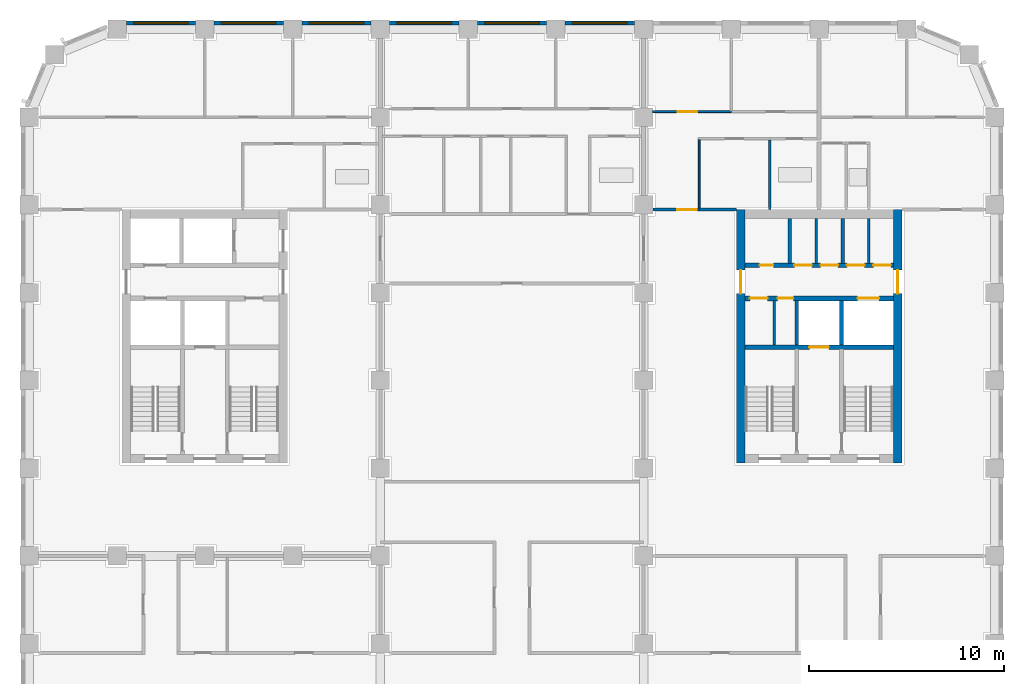
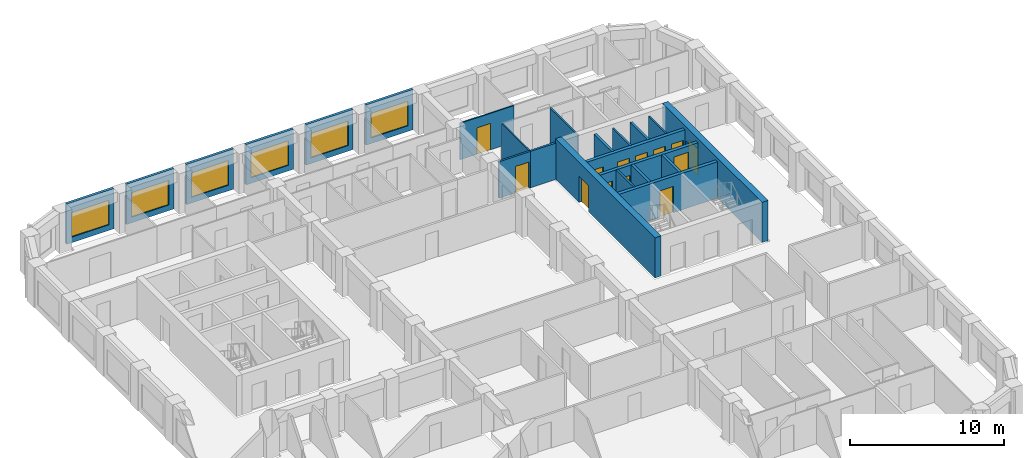
# One storey, part 8 of 13: 23 walls, 13 doors, 6 windows, 19 openings.
"""IFC4 building model written with IfcOpenShell, lengths in metres."""

from ifc_helpers import new_model, si_unit, direction, frame, frame_2d, origin, place, context, subcontext, project, spatial, rectangle, extrude, material, layer, layer_set, type_object, element, fill, save


model = new_model("IFC4")

# Units and contexts
model_context = context("Model", 3, precision=1e-05, world=origin(), true_north=direction((0.0, 1.0)))
body_context = subcontext(model_context, "Body", "Model", "MODEL_VIEW")
ifc_project = project(units=[si_unit("LENGTHUNIT", "METRE"), si_unit("AREAUNIT", "SQUARE_METRE"), si_unit("VOLUMEUNIT", "CUBIC_METRE"), si_unit("PLANEANGLEUNIT", "RADIAN"), si_unit("MASSUNIT", "GRAM", prefix="KILO")], contexts=[model_context])

# Site, building, storey
site_placement = place(None, origin())
site = spatial("IfcSite", under=ifc_project, at=site_placement, CompositionType="ELEMENT")
building_placement = place(site_placement, origin())
building = spatial("IfcBuilding", under=site, at=building_placement, Name="Girih Gate Residences", CompositionType="ELEMENT")
storey_placement = place(building_placement, frame((0.0, 0.0, 130.199951171875)))
storey = spatial("IfcBuildingStorey", under=building, at=storey_placement, Name="L36", CompositionType="ELEMENT", Elevation=130.199951171875)

# Wall, opening, door
ifc_material_1 = material(Name="Gypsum board on steel studs", Category="steel")
ifc_layer_1 = layer(ifc_material_1, 0.14990234375)
ifc_layer_set_1 = layer_set([ifc_layer_1], Name="Compartment wall 150 mm")
wall_type_1 = type_object("IfcWallType", Name="Compartment wall 150 mm", PredefinedType="PARTITIONING", material=ifc_layer_set_1)
wall_1_placement = place(storey_placement, frame((31.97509765625, 40.25, 0.0), z_axis=(0.0, 0.0, 1.0), x_axis=(1.0, 0.0, 0.0)))
wall_1 = element("IfcWall", 1, at=wall_1_placement, inside=storey, type_object=wall_type_1, Name="L36 partition", PredefinedType="PARTITIONING", context=body_context, shape_type="SweptSolid", body=[
    extrude(rectangle(XDim=2.375, YDim=0.14990234375, at=frame_2d((1.1875, 0.0))), origin(), (0.0, 0.0, 1.0), 2.900146484375),
])
opening_1_placement = place(wall_1_placement, frame((1.2451171875, 0.0, 0.0)))
opening_1 = element("IfcOpeningElement", 2, at=opening_1_placement, cuts=wall_1, Name="Opening A36-036", PredefinedType="OPENING", context=body_context, shape_type="SweptSolid", body=[
    extrude(rectangle(XDim=1.0, YDim=2.10009765625, at=frame_2d((0.5, 1.050048828125))), frame((0.0, 0.0849609375, 0.0), z_axis=(0.0, -1.0, 0.0), x_axis=(1.0, 0.0, 0.0)), (0.0, 0.0, 1.0), 0.169921875),
])
ifc_material_2 = material(Name="Timber, fire-rated core", Category="wood")
door_type_1 = type_object("IfcDoorType", Name="Flat entrance door 1000x2100 FD30S", OperationType="NOTDEFINED", PredefinedType="DOOR", material=ifc_material_2)
door_1_placement = place(opening_1_placement, origin())
door_1 = element("IfcDoor", 3, at=door_1_placement, inside=storey, type_object=door_type_1, Name="Door A36-036", OperationType="SINGLE_SWING_RIGHT", OverallHeight=2.10009765625, OverallWidth=1.0, PredefinedType="DOOR", context=body_context, shape_type="SweptSolid", body=[
    extrude(rectangle(XDim=1.0, YDim=2.10009765625, at=frame_2d((0.5, 1.050048828125))), frame((0.0, 0.02490234375, 0.0), z_axis=(0.0, -1.0, 0.0), x_axis=(1.0, 0.0, 0.0)), (0.0, 0.0, 1.0), 0.050048828125),
])
fill(opening_1, door_1)

# Wall
wall_2_placement = place(storey_placement, frame((34.35009765625, 40.25, 0.0), z_axis=(0.0, 0.0, 1.0), x_axis=(1.0, 0.0, 0.0)))
element("IfcWall", 4, at=wall_2_placement, inside=storey, type_object=wall_type_1, Name="L36 partition", PredefinedType="PARTITIONING", context=body_context, shape_type="SweptSolid", body=[
    extrude(rectangle(XDim=1.89990234375, YDim=0.14990234375, at=frame_2d((0.949951171875, 0.0))), origin(), (0.0, 0.0, 1.0), 2.900146484375),
])

# Wall, opening, door
ifc_material_3 = material(Name="Concrete C60/75", Category="concrete")
ifc_layer_2 = layer(ifc_material_3, 0.449951171875)
ifc_layer_set_2 = layer_set([ifc_layer_2], Name="Core wall RC 450 Concrete C60/75")
wall_type_2 = type_object("IfcWallType", Name="Core wall RC 450 Concrete C60/75", PredefinedType="SOLIDWALL", material=ifc_layer_set_2)
wall_3_placement = place(storey_placement, frame((36.47509765625, 27.25, 0.0), z_axis=(0.0, 0.0, 1.0), x_axis=(0.0, 1.0, 0.0)))
wall_3 = element("IfcWall", 5, at=wall_3_placement, inside=storey, type_object=wall_type_2, Name="Core wall E-W L36", PredefinedType="SOLIDWALL", context=body_context, shape_type="SweptSolid", body=[
    extrude(rectangle(XDim=13.0, YDim=0.449951171875, at=frame_2d((6.5, 0.0))), origin(), (0.0, 0.0, 1.0), 3.199951171875),
])
opening_2_placement = place(wall_3_placement, frame((8.699951171875, 0.0, 0.0)))
opening_2 = element("IfcOpeningElement", 6, at=opening_2_placement, cuts=wall_3, Name="Opening D-L36-E-015", PredefinedType="OPENING", context=body_context, shape_type="SweptSolid", body=[
    extrude(rectangle(XDim=1.199951171875, YDim=2.10009765625, at=frame_2d((0.60009765625, 1.050048828125))), frame((0.0, 0.23486328125, 0.0), z_axis=(0.0, -1.0, 0.0), x_axis=(1.0, 0.0, 0.0)), (0.0, 0.0, 1.0), 0.469970703125),
])
ifc_material_4 = material(Name="Painted steel, fire-resisting", Category="steel")
door_type_2 = type_object("IfcDoorType", Name="Fire door 1200x2100", OperationType="SINGLE_SWING_LEFT", PredefinedType="DOOR", material=ifc_material_4)
door_2_placement = place(opening_2_placement, origin())
door_2 = element("IfcDoor", 7, at=door_2_placement, inside=storey, type_object=door_type_2, Name="L36 E core door ll-w", OperationType="SINGLE_SWING_LEFT", OverallHeight=2.10009765625, OverallWidth=1.199951171875, PredefinedType="DOOR", context=body_context, shape_type="SweptSolid", body=[
    extrude(rectangle(XDim=1.199951171875, YDim=2.10009765625, at=frame_2d((0.60009765625, 1.050048828125))), frame((0.0, 0.02490234375, 0.0), z_axis=(0.0, -1.0, 0.0), x_axis=(1.0, 0.0, 0.0)), (0.0, 0.0, 1.0), 0.050048828125),
])
fill(opening_2, door_2)

wall_4_placement = place(storey_placement, frame((44.52490234375, 27.25, 0.0), z_axis=(0.0, 0.0, 1.0), x_axis=(0.0, 1.0, 0.0)))
wall_4 = element("IfcWall", 8, at=wall_4_placement, inside=storey, type_object=wall_type_2, Name="Core wall E-E L36", PredefinedType="SOLIDWALL", context=body_context, shape_type="SweptSolid", body=[
    extrude(rectangle(XDim=13.0, YDim=0.449951171875, at=frame_2d((6.5, 0.0))), origin(), (0.0, 0.0, 1.0), 3.199951171875),
])
opening_3_placement = place(wall_4_placement, frame((8.699951171875, 0.0, 0.0)))
opening_3 = element("IfcOpeningElement", 9, at=opening_3_placement, cuts=wall_4, Name="Opening D-L36-E-016", PredefinedType="OPENING", context=body_context, shape_type="SweptSolid", body=[
    extrude(rectangle(XDim=1.199951171875, YDim=2.10009765625, at=frame_2d((0.60009765625, 1.050048828125))), frame((0.0, 0.23486328125, 0.0), z_axis=(0.0, -1.0, 0.0), x_axis=(1.0, 0.0, 0.0)), (0.0, 0.0, 1.0), 0.469970703125),
])
door_3_placement = place(opening_3_placement, origin())
door_3 = element("IfcDoor", 10, at=door_3_placement, inside=storey, type_object=door_type_2, Name="L36 E core door ll-e", OperationType="SINGLE_SWING_LEFT", OverallHeight=2.10009765625, OverallWidth=1.199951171875, PredefinedType="DOOR", context=body_context, shape_type="SweptSolid", body=[
    extrude(rectangle(XDim=1.199951171875, YDim=2.10009765625, at=frame_2d((0.60009765625, 1.050048828125))), frame((0.0, 0.02490234375, 0.0), z_axis=(0.0, -1.0, 0.0), x_axis=(1.0, 0.0, 0.0)), (0.0, 0.0, 1.0), 0.050048828125),
])
fill(opening_3, door_3)

ifc_material_5 = material(Name="Concrete C40/50", Category="concrete")
ifc_layer_3 = layer(ifc_material_5, 0.25)
ifc_layer_set_3 = layer_set([ifc_layer_3], Name="Lift shaft wall 250")
wall_type_3 = type_object("IfcWallType", Name="Lift shaft wall 250", PredefinedType="SOLIDWALL", material=ifc_layer_set_3)
wall_5_placement = place(storey_placement, frame((36.699951171875, 33.199951171875, 0.0), z_axis=(0.0, 0.0, 1.0), x_axis=(1.0, 0.0, 0.0)))
wall_5 = element("IfcWall", 11, at=wall_5_placement, inside=storey, type_object=wall_type_3, Name="L36 E core wall H1", PredefinedType="SOLIDWALL", context=body_context, shape_type="SweptSolid", body=[
    extrude(rectangle(XDim=7.60009765625, YDim=0.25, at=frame_2d((3.800048828125, 0.0))), origin(), (0.0, 0.0, 1.0), 2.900146484375),
])
opening_4_placement = place(wall_5_placement, frame((3.300048828125, 0.0, 0.0)))
opening_4 = element("IfcOpeningElement", 12, at=opening_4_placement, cuts=wall_5, Name="Opening D-L36-E-004", PredefinedType="OPENING", context=body_context, shape_type="SweptSolid", body=[
    extrude(rectangle(XDim=1.0, YDim=2.10009765625, at=frame_2d((0.5, 1.050048828125))), frame((0.0, 0.135009765625, 0.0), z_axis=(0.0, -1.0, 0.0), x_axis=(1.0, 0.0, 0.0)), (0.0, 0.0, 1.0), 0.27001953125),
])
ifc_material_6 = material(Name="Stainless steel, fire-resisting", Category="steel")
door_type_3 = type_object("IfcDoorType", Name="Firefighting lift landing door 1000x2100", OperationType="SLIDING_TO_LEFT", PredefinedType="DOOR", material=ifc_material_6)
door_4_placement = place(opening_4_placement, origin())
door_4 = element("IfcDoor", 13, at=door_4_placement, inside=storey, type_object=door_type_3, Name="L36 lift FF-E landing door", OperationType="SLIDING_TO_LEFT", OverallHeight=2.10009765625, OverallWidth=1.0, PredefinedType="DOOR", context=body_context, shape_type="SweptSolid", body=[
    extrude(rectangle(XDim=1.0, YDim=2.10009765625, at=frame_2d((0.5, 1.050048828125))), frame((0.0, 0.02490234375, 0.0), z_axis=(0.0, -1.0, 0.0), x_axis=(1.0, 0.0, 0.0)), (0.0, 0.0, 1.0), 0.050048828125),
])
fill(opening_4, door_4)

# Wall, openings, doors
wall_6_placement = place(storey_placement, frame((36.699951171875, 35.699951171875, 0.0), z_axis=(0.0, 0.0, 1.0), x_axis=(1.0, 0.0, 0.0)))
wall_6 = element("IfcWall", 14, at=wall_6_placement, inside=storey, type_object=wall_type_3, Name="L36 E core wall H2", PredefinedType="SOLIDWALL", context=body_context, shape_type="SweptSolid", body=[
    extrude(rectangle(XDim=7.60009765625, YDim=0.25, at=frame_2d((3.800048828125, 0.0))), origin(), (0.0, 0.0, 1.0), 2.900146484375),
])
opening_5_placement = place(wall_6_placement, frame((5.77490234375, 0.0, 0.0)))
opening_5 = element("IfcOpeningElement", 15, at=opening_5_placement, cuts=wall_6, Name="Opening D-L36-E-003", PredefinedType="OPENING", context=body_context, shape_type="SweptSolid", body=[
    extrude(rectangle(XDim=1.10009765625, YDim=2.39990234375, at=frame_2d((0.550048828125, 1.199951171875))), frame((0.0, 0.135009765625, 0.0), z_axis=(0.0, -1.0, 0.0), x_axis=(1.0, 0.0, 0.0)), (0.0, 0.0, 1.0), 0.27001953125),
])
opening_6_placement = place(wall_6_placement, frame((1.675048828125, 0.0, 0.0)))
opening_6 = element("IfcOpeningElement", 16, at=opening_6_placement, cuts=wall_6, Name="Opening D-L36-E-006", PredefinedType="OPENING", context=body_context, shape_type="SweptSolid", body=[
    extrude(rectangle(XDim=0.800048828125, YDim=2.10009765625, at=frame_2d((0.39990234375, 1.050048828125))), frame((0.0, 0.135009765625, 0.0), z_axis=(0.0, -1.0, 0.0), x_axis=(1.0, 0.0, 0.0)), (0.0, 0.0, 1.0), 0.27001953125),
])
opening_7_placement = place(wall_6_placement, frame((0.25, 0.0, 0.0)))
opening_7 = element("IfcOpeningElement", 17, at=opening_7_placement, cuts=wall_6, Name="Opening D-L36-E-007", PredefinedType="OPENING", context=body_context, shape_type="SweptSolid", body=[
    extrude(rectangle(XDim=0.89990234375, YDim=2.10009765625, at=frame_2d((0.449951171875, 1.050048828125))), frame((0.0, 0.135009765625, 0.0), z_axis=(0.0, -1.0, 0.0), x_axis=(1.0, 0.0, 0.0)), (0.0, 0.0, 1.0), 0.27001953125),
])
door_type_4 = type_object("IfcDoorType", Name="Fire door 800x2100", OperationType="SINGLE_SWING_LEFT", PredefinedType="DOOR", material=ifc_material_4)
door_5_placement = place(opening_6_placement, origin())
door_5 = element("IfcDoor", 18, at=door_5_placement, inside=storey, type_object=door_type_4, Name="L36 E store door", OperationType="SINGLE_SWING_LEFT", OverallHeight=2.10009765625, OverallWidth=0.800048828125, PredefinedType="DOOR", context=body_context, shape_type="SweptSolid", body=[
    extrude(rectangle(XDim=0.800048828125, YDim=2.10009765625, at=frame_2d((0.39990234375, 1.050048828125))), frame((0.0, 0.02490234375, 0.0), z_axis=(0.0, -1.0, 0.0), x_axis=(1.0, 0.0, 0.0)), (0.0, 0.0, 1.0), 0.050048828125),
])
fill(opening_6, door_5)
door_type_5 = type_object("IfcDoorType", Name="Fire door 900x2100", OperationType="SINGLE_SWING_LEFT", PredefinedType="DOOR", material=ifc_material_4)
door_6_placement = place(opening_7_placement, origin())
door_6 = element("IfcDoor", 19, at=door_6_placement, inside=storey, type_object=door_type_5, Name="L36 E comms room door", OperationType="SINGLE_SWING_LEFT", OverallHeight=2.10009765625, OverallWidth=0.89990234375, PredefinedType="DOOR", context=body_context, shape_type="SweptSolid", body=[
    extrude(rectangle(XDim=0.89990234375, YDim=2.10009765625, at=frame_2d((0.449951171875, 1.050048828125))), frame((0.0, 0.02490234375, 0.0), z_axis=(0.0, -1.0, 0.0), x_axis=(1.0, 0.0, 0.0)), (0.0, 0.0, 1.0), 0.050048828125),
])
fill(opening_7, door_6)
ifc_material_7 = material(Name="Stainless steel", Category="steel")
door_type_6 = type_object("IfcDoorType", Name="Lift landing door 1100x2400", OperationType="SLIDING_TO_LEFT", PredefinedType="DOOR", material=ifc_material_7)
door_7_placement = place(opening_5_placement, origin())
door_7 = element("IfcDoor", 20, at=door_7_placement, inside=storey, type_object=door_type_6, Name="L36 lift HR-E1 landing door", OperationType="SLIDING_TO_LEFT", OverallHeight=2.39990234375, OverallWidth=1.10009765625, PredefinedType="DOOR", context=body_context, shape_type="SweptSolid", body=[
    extrude(rectangle(XDim=1.10009765625, YDim=2.39990234375, at=frame_2d((0.550048828125, 1.199951171875))), frame((0.0, 0.02490234375, 0.0), z_axis=(0.0, -1.0, 0.0), x_axis=(1.0, 0.0, 0.0)), (0.0, 0.0, 1.0), 0.050048828125),
])
fill(opening_5, door_7)

wall_7_placement = place(storey_placement, frame((36.699951171875, 37.39990234375, 0.0), z_axis=(0.0, 0.0, 1.0), x_axis=(1.0, 0.0, 0.0)))
wall_7 = element("IfcWall", 21, at=wall_7_placement, inside=storey, type_object=wall_type_3, Name="L36 E core wall H3", PredefinedType="SOLIDWALL", context=body_context, shape_type="SweptSolid", body=[
    extrude(rectangle(XDim=7.60009765625, YDim=0.25, at=frame_2d((3.800048828125, 0.0))), origin(), (0.0, 0.0, 1.0), 2.900146484375),
])
opening_8_placement = place(wall_7_placement, frame((0.75, 0.0, 0.0)))
opening_8 = element("IfcOpeningElement", 22, at=opening_8_placement, cuts=wall_7, Name="Opening D-L36-E-005", PredefinedType="OPENING", context=body_context, shape_type="SweptSolid", body=[
    extrude(rectangle(XDim=0.699951171875, YDim=2.10009765625, at=frame_2d((0.35009765625, 1.050048828125))), frame((0.0, 0.135009765625, 0.0), z_axis=(0.0, -1.0, 0.0), x_axis=(1.0, 0.0, 0.0)), (0.0, 0.0, 1.0), 0.27001953125),
])
opening_9_placement = place(wall_7_placement, frame((6.574951171875, 0.0, 0.0)))
opening_9 = element("IfcOpeningElement", 23, at=opening_9_placement, cuts=wall_7, Name="Opening D-L36-E-008", PredefinedType="OPENING", context=body_context, shape_type="SweptSolid", body=[
    extrude(rectangle(XDim=0.89990234375, YDim=2.10009765625, at=frame_2d((0.449951171875, 1.050048828125))), frame((0.0, 0.135009765625, 0.0), z_axis=(0.0, -1.0, 0.0), x_axis=(1.0, 0.0, 0.0)), (0.0, 0.0, 1.0), 0.27001953125),
])
opening_10_placement = place(wall_7_placement, frame((5.22509765625, 0.0, 0.0)))
opening_10 = element("IfcOpeningElement", 24, at=opening_10_placement, cuts=wall_7, Name="Opening D-L36-E-009", PredefinedType="OPENING", context=body_context, shape_type="SweptSolid", body=[
    extrude(rectangle(XDim=0.89990234375, YDim=2.10009765625, at=frame_2d((0.449951171875, 1.050048828125))), frame((0.0, 0.135009765625, 0.0), z_axis=(0.0, -1.0, 0.0), x_axis=(1.0, 0.0, 0.0)), (0.0, 0.0, 1.0), 0.27001953125),
])
opening_11_placement = place(wall_7_placement, frame((3.875, 0.0, 0.0)))
opening_11 = element("IfcOpeningElement", 25, at=opening_11_placement, cuts=wall_7, Name="Opening D-L36-E-010", PredefinedType="OPENING", context=body_context, shape_type="SweptSolid", body=[
    extrude(rectangle(XDim=0.89990234375, YDim=2.10009765625, at=frame_2d((0.449951171875, 1.050048828125))), frame((0.0, 0.135009765625, 0.0), z_axis=(0.0, -1.0, 0.0), x_axis=(1.0, 0.0, 0.0)), (0.0, 0.0, 1.0), 0.27001953125),
])
opening_12_placement = place(wall_7_placement, frame((2.52490234375, 0.0, 0.0)))
opening_12 = element("IfcOpeningElement", 26, at=opening_12_placement, cuts=wall_7, Name="Opening D-L36-E-011", PredefinedType="OPENING", context=body_context, shape_type="SweptSolid", body=[
    extrude(rectangle(XDim=0.89990234375, YDim=2.10009765625, at=frame_2d((0.449951171875, 1.050048828125))), frame((0.0, 0.135009765625, 0.0), z_axis=(0.0, -1.0, 0.0), x_axis=(1.0, 0.0, 0.0)), (0.0, 0.0, 1.0), 0.27001953125),
])
door_8_placement = place(opening_9_placement, origin())
door_8 = element("IfcDoor", 27, at=door_8_placement, inside=storey, type_object=door_type_5, Name="L36 E refuse store door", OperationType="SINGLE_SWING_LEFT", OverallHeight=2.10009765625, OverallWidth=0.89990234375, PredefinedType="DOOR", context=body_context, shape_type="SweptSolid", body=[
    extrude(rectangle(XDim=0.89990234375, YDim=2.10009765625, at=frame_2d((0.449951171875, 1.050048828125))), frame((0.0, 0.02490234375, 0.0), z_axis=(0.0, -1.0, 0.0), x_axis=(1.0, 0.0, 0.0)), (0.0, 0.0, 1.0), 0.050048828125),
])
fill(opening_9, door_8)
door_9_placement = place(opening_10_placement, origin())
door_9 = element("IfcDoor", 28, at=door_9_placement, inside=storey, type_object=door_type_5, Name="L36 E cleaners store door", OperationType="SINGLE_SWING_LEFT", OverallHeight=2.10009765625, OverallWidth=0.89990234375, PredefinedType="DOOR", context=body_context, shape_type="SweptSolid", body=[
    extrude(rectangle(XDim=0.89990234375, YDim=2.10009765625, at=frame_2d((0.449951171875, 1.050048828125))), frame((0.0, 0.02490234375, 0.0), z_axis=(0.0, -1.0, 0.0), x_axis=(1.0, 0.0, 0.0)), (0.0, 0.0, 1.0), 0.050048828125),
])
fill(opening_10, door_9)
door_10_placement = place(opening_11_placement, origin())
door_10 = element("IfcDoor", 29, at=door_10_placement, inside=storey, type_object=door_type_5, Name="L36 E maintenance store door", OperationType="SINGLE_SWING_LEFT", OverallHeight=2.10009765625, OverallWidth=0.89990234375, PredefinedType="DOOR", context=body_context, shape_type="SweptSolid", body=[
    extrude(rectangle(XDim=0.89990234375, YDim=2.10009765625, at=frame_2d((0.449951171875, 1.050048828125))), frame((0.0, 0.02490234375, 0.0), z_axis=(0.0, -1.0, 0.0), x_axis=(1.0, 0.0, 0.0)), (0.0, 0.0, 1.0), 0.050048828125),
])
fill(opening_11, door_10)
door_11_placement = place(opening_12_placement, origin())
door_11 = element("IfcDoor", 30, at=door_11_placement, inside=storey, type_object=door_type_5, Name="L36 E electrical room door", OperationType="SINGLE_SWING_LEFT", OverallHeight=2.10009765625, OverallWidth=0.89990234375, PredefinedType="DOOR", context=body_context, shape_type="SweptSolid", body=[
    extrude(rectangle(XDim=0.89990234375, YDim=2.10009765625, at=frame_2d((0.449951171875, 1.050048828125))), frame((0.0, 0.02490234375, 0.0), z_axis=(0.0, -1.0, 0.0), x_axis=(1.0, 0.0, 0.0)), (0.0, 0.0, 1.0), 0.050048828125),
])
fill(opening_12, door_11)
door_type_7 = type_object("IfcDoorType", Name="Riser access door 700x2100", OperationType="SINGLE_SWING_LEFT", PredefinedType="DOOR", material=ifc_material_4)
door_12_placement = place(opening_8_placement, origin())
door_12 = element("IfcDoor", 31, at=door_12_placement, inside=storey, type_object=door_type_7, Name="L36 E riser room door", OperationType="SINGLE_SWING_LEFT", OverallHeight=2.10009765625, OverallWidth=0.699951171875, PredefinedType="DOOR", context=body_context, shape_type="SweptSolid", body=[
    extrude(rectangle(XDim=0.699951171875, YDim=2.10009765625, at=frame_2d((0.35009765625, 1.050048828125))), frame((0.0, 0.02490234375, 0.0), z_axis=(0.0, -1.0, 0.0), x_axis=(1.0, 0.0, 0.0)), (0.0, 0.0, 1.0), 0.050048828125),
])
fill(opening_8, door_12)

# Wall
ifc_layer_4 = layer(ifc_material_1, 0.10009765625)
ifc_layer_set_4 = layer_set([ifc_layer_4], Name="Partition 100 mm")
wall_type_4 = type_object("IfcWallType", Name="Partition 100 mm", PredefinedType="PARTITIONING", material=ifc_layer_set_4)
wall_8_placement = place(storey_placement, frame((34.35009765625, 40.324951171875, 0.0), z_axis=(0.0, 0.0, 1.0), x_axis=(0.0, 1.0, 0.0)))
element("IfcWall", 32, at=wall_8_placement, inside=storey, type_object=wall_type_4, Name="L36 partition", PredefinedType="PARTITIONING", context=body_context, shape_type="SweptSolid", body=[
    extrude(rectangle(XDim=3.52001953125, YDim=0.10009765625, at=frame_2d((1.760009765625, 0.0))), origin(), (0.0, 0.0, 1.0), 2.900146484375),
])

# Wall, opening, door
wall_9_placement = place(storey_placement, frame((31.97509765625, 45.27490234375, 0.0), z_axis=(0.0, 0.0, 1.0), x_axis=(1.0, 0.0, 0.0)))
wall_9 = element("IfcWall", 33, at=wall_9_placement, inside=storey, type_object=wall_type_4, Name="L36 partition", PredefinedType="PARTITIONING", context=body_context, shape_type="SweptSolid", body=[
    extrude(rectangle(XDim=4.02490234375, YDim=0.10009765625, at=frame_2d((2.012451171875, 0.0))), origin(), (0.0, 0.0, 1.0), 2.900146484375),
])
opening_13_placement = place(wall_9_placement, frame((1.27490234375, 0.0, 0.0)))
opening_13 = element("IfcOpeningElement", 34, at=opening_13_placement, cuts=wall_9, Name="Opening A36-035", PredefinedType="OPENING", context=body_context, shape_type="SweptSolid", body=[
    extrude(rectangle(XDim=1.0, YDim=2.10009765625, at=frame_2d((0.5, 1.050048828125))), frame((0.0, 0.06005859375, 0.0), z_axis=(0.0, -1.0, 0.0), x_axis=(1.0, 0.0, 0.0)), (0.0, 0.0, 1.0), 0.1201171875),
])
ifc_material_8 = material(Name="Timber", Category="wood")
door_type_8 = type_object("IfcDoorType", Name="Living room door 1000x2100", OperationType="NOTDEFINED", PredefinedType="DOOR", material=ifc_material_8)
door_13_placement = place(opening_13_placement, origin())
door_13 = element("IfcDoor", 35, at=door_13_placement, inside=storey, type_object=door_type_8, Name="Door A36-035", OperationType="SINGLE_SWING_LEFT", OverallHeight=2.10009765625, OverallWidth=1.0, PredefinedType="DOOR", context=body_context, shape_type="SweptSolid", body=[
    extrude(rectangle(XDim=1.0, YDim=2.10009765625, at=frame_2d((0.5, 1.050048828125))), frame((0.0, 0.02490234375, 0.0), z_axis=(0.0, -1.0, 0.0), x_axis=(1.0, 0.0, 0.0)), (0.0, 0.0, 1.0), 0.050048828125),
])
fill(opening_13, door_13)

# Wall, opening, window
ifc_material_9 = material(Name="Precast concrete C50/60", Category="concrete")
ifc_layer_5 = layer(ifc_material_9, 0.06005859375, Name="Outer leaf")
ifc_material_10 = material(Name="Rigid PIR insulation")
ifc_layer_6 = layer(ifc_material_10, 0.090087890625, Name="Insulation")
ifc_material_11 = material(Name="Precast concrete C40/50", Category="concrete")
ifc_layer_7 = layer(ifc_material_11, 0.050048828125, Name="Inner leaf")
ifc_layer_set_5 = layer_set([ifc_layer_5, ifc_layer_6, ifc_layer_7], Name="Precast concrete C50/60 external wall 200")
wall_type_5 = type_object("IfcWallType", Name="Precast concrete C50/60 external wall 200", PredefinedType="SOLIDWALL", material=ifc_layer_set_5)
wall_10_placement = place(storey_placement, frame((27.47509765625, 49.824951171875, 0.0), z_axis=(0.0, 0.0, 1.0), x_axis=(1.0, 0.0, 0.0)))
wall_10 = element("IfcWall", 36, at=wall_10_placement, inside=storey, type_object=wall_type_5, Name="External wall N0450_0495.3", PredefinedType="SOLIDWALL", context=body_context, shape_type="SweptSolid", body=[
    extrude(rectangle(XDim=3.5498046875, YDim=0.199951171875, at=frame_2d((1.77490234375, 0.0))), origin(), (0.0, 0.0, 1.0), 3.199951171875),
])
opening_14_placement = place(wall_10_placement, frame((0.375, 0.0, 0.449951171875)))
opening_14 = element("IfcOpeningElement", 37, at=opening_14_placement, cuts=wall_10, Name="Opening W-1B", PredefinedType="OPENING", context=body_context, shape_type="SweptSolid", body=[
    extrude(rectangle(XDim=2.800048828125, YDim=1.949951171875, at=frame_2d((1.39990234375, 0.97509765625))), frame((0.0, 0.10986328125, 0.0), z_axis=(0.0, -1.0, 0.0), x_axis=(1.0, 0.0, 0.0)), (0.0, 0.0, 1.0), 0.219970703125),
])
ifc_material_12 = material(Name="Double glazing in aluminium frame", Category="aluminium")
window_type = type_object("IfcWindowType", Name="Window W-1B 2800x1950", PartitioningType="SINGLE_PANEL", PredefinedType="WINDOW", material=ifc_material_12)
window_1_placement = place(opening_14_placement, origin())
window_1 = element("IfcWindow", 38, at=window_1_placement, inside=storey, type_object=window_type, Name="Window W-1B N0450_0495.3", OverallHeight=1.949951171875, OverallWidth=2.800048828125, PartitioningType="SINGLE_PANEL", PredefinedType="WINDOW", context=body_context, shape_type="SweptSolid", body=[
    extrude(rectangle(XDim=2.800048828125, YDim=1.949951171875, at=frame_2d((1.39990234375, 0.97509765625))), frame((0.0, 0.030029296875, 0.0), z_axis=(0.0, -1.0, 0.0), x_axis=(1.0, 0.0, 0.0)), (0.0, 0.0, 1.0), 0.06005859375),
])
fill(opening_14, window_1)

wall_11_placement = place(storey_placement, frame((22.97509765625, 49.824951171875, 0.0), z_axis=(0.0, 0.0, 1.0), x_axis=(1.0, 0.0, 0.0)))
wall_11 = element("IfcWall", 39, at=wall_11_placement, inside=storey, type_object=wall_type_5, Name="External wall N0450_0495.4", PredefinedType="SOLIDWALL", context=body_context, shape_type="SweptSolid", body=[
    extrude(rectangle(XDim=3.5498046875, YDim=0.199951171875, at=frame_2d((1.77490234375, 0.0))), origin(), (0.0, 0.0, 1.0), 3.199951171875),
])
opening_15_placement = place(wall_11_placement, frame((0.375, 0.0, 0.449951171875)))
opening_15 = element("IfcOpeningElement", 40, at=opening_15_placement, cuts=wall_11, Name="Opening W-1B", PredefinedType="OPENING", context=body_context, shape_type="SweptSolid", body=[
    extrude(rectangle(XDim=2.800048828125, YDim=1.949951171875, at=frame_2d((1.39990234375, 0.97509765625))), frame((0.0, 0.10986328125, 0.0), z_axis=(0.0, -1.0, 0.0), x_axis=(1.0, 0.0, 0.0)), (0.0, 0.0, 1.0), 0.219970703125),
])
window_2_placement = place(opening_15_placement, origin())
window_2 = element("IfcWindow", 41, at=window_2_placement, inside=storey, type_object=window_type, Name="Window W-1B N0450_0495.4", OverallHeight=1.949951171875, OverallWidth=2.800048828125, PartitioningType="SINGLE_PANEL", PredefinedType="WINDOW", context=body_context, shape_type="SweptSolid", body=[
    extrude(rectangle(XDim=2.800048828125, YDim=1.949951171875, at=frame_2d((1.39990234375, 0.97509765625))), frame((0.0, 0.030029296875, 0.0), z_axis=(0.0, -1.0, 0.0), x_axis=(1.0, 0.0, 0.0)), (0.0, 0.0, 1.0), 0.06005859375),
])
fill(opening_15, window_2)

wall_12_placement = place(storey_placement, frame((18.47509765625, 49.824951171875, 0.0), z_axis=(0.0, 0.0, 1.0), x_axis=(1.0, 0.0, 0.0)))
wall_12 = element("IfcWall", 42, at=wall_12_placement, inside=storey, type_object=wall_type_5, Name="External wall N0450_0495.5", PredefinedType="SOLIDWALL", context=body_context, shape_type="SweptSolid", body=[
    extrude(rectangle(XDim=3.5498046875, YDim=0.199951171875, at=frame_2d((1.77490234375, 0.0))), origin(), (0.0, 0.0, 1.0), 3.199951171875),
])
opening_16_placement = place(wall_12_placement, frame((0.375, 0.0, 0.449951171875)))
opening_16 = element("IfcOpeningElement", 43, at=opening_16_placement, cuts=wall_12, Name="Opening W-1B", PredefinedType="OPENING", context=body_context, shape_type="SweptSolid", body=[
    extrude(rectangle(XDim=2.800048828125, YDim=1.949951171875, at=frame_2d((1.39990234375, 0.97509765625))), frame((0.0, 0.10986328125, 0.0), z_axis=(0.0, -1.0, 0.0), x_axis=(1.0, 0.0, 0.0)), (0.0, 0.0, 1.0), 0.219970703125),
])
window_3_placement = place(opening_16_placement, origin())
window_3 = element("IfcWindow", 44, at=window_3_placement, inside=storey, type_object=window_type, Name="Window W-1B N0450_0495.5", OverallHeight=1.949951171875, OverallWidth=2.800048828125, PartitioningType="SINGLE_PANEL", PredefinedType="WINDOW", context=body_context, shape_type="SweptSolid", body=[
    extrude(rectangle(XDim=2.800048828125, YDim=1.949951171875, at=frame_2d((1.39990234375, 0.97509765625))), frame((0.0, 0.030029296875, 0.0), z_axis=(0.0, -1.0, 0.0), x_axis=(1.0, 0.0, 0.0)), (0.0, 0.0, 1.0), 0.06005859375),
])
fill(opening_16, window_3)

wall_13_placement = place(storey_placement, frame((13.97509765625, 49.824951171875, 0.0), z_axis=(0.0, 0.0, 1.0), x_axis=(1.0, 0.0, 0.0)))
wall_13 = element("IfcWall", 45, at=wall_13_placement, inside=storey, type_object=wall_type_5, Name="External wall N0450_0495.6", PredefinedType="SOLIDWALL", context=body_context, shape_type="SweptSolid", body=[
    extrude(rectangle(XDim=3.5498046875, YDim=0.199951171875, at=frame_2d((1.77490234375, 0.0))), origin(), (0.0, 0.0, 1.0), 3.199951171875),
])
opening_17_placement = place(wall_13_placement, frame((0.375, 0.0, 0.449951171875)))
opening_17 = element("IfcOpeningElement", 46, at=opening_17_placement, cuts=wall_13, Name="Opening W-1B", PredefinedType="OPENING", context=body_context, shape_type="SweptSolid", body=[
    extrude(rectangle(XDim=2.800048828125, YDim=1.949951171875, at=frame_2d((1.39990234375, 0.97509765625))), frame((0.0, 0.10986328125, 0.0), z_axis=(0.0, -1.0, 0.0), x_axis=(1.0, 0.0, 0.0)), (0.0, 0.0, 1.0), 0.219970703125),
])
window_4_placement = place(opening_17_placement, origin())
window_4 = element("IfcWindow", 47, at=window_4_placement, inside=storey, type_object=window_type, Name="Window W-1B N0450_0495.6", OverallHeight=1.949951171875, OverallWidth=2.800048828125, PartitioningType="SINGLE_PANEL", PredefinedType="WINDOW", context=body_context, shape_type="SweptSolid", body=[
    extrude(rectangle(XDim=2.800048828125, YDim=1.949951171875, at=frame_2d((1.39990234375, 0.97509765625))), frame((0.0, 0.030029296875, 0.0), z_axis=(0.0, -1.0, 0.0), x_axis=(1.0, 0.0, 0.0)), (0.0, 0.0, 1.0), 0.06005859375),
])
fill(opening_17, window_4)

wall_14_placement = place(storey_placement, frame((9.47509765625, 49.824951171875, 0.0), z_axis=(0.0, 0.0, 1.0), x_axis=(1.0, 0.0, 0.0)))
wall_14 = element("IfcWall", 48, at=wall_14_placement, inside=storey, type_object=wall_type_5, Name="External wall N0450_0495.7", PredefinedType="SOLIDWALL", context=body_context, shape_type="SweptSolid", body=[
    extrude(rectangle(XDim=3.5498046875, YDim=0.199951171875, at=frame_2d((1.77490234375, 0.0))), origin(), (0.0, 0.0, 1.0), 3.199951171875),
])
opening_18_placement = place(wall_14_placement, frame((0.375, 0.0, 0.449951171875)))
opening_18 = element("IfcOpeningElement", 49, at=opening_18_placement, cuts=wall_14, Name="Opening W-1B", PredefinedType="OPENING", context=body_context, shape_type="SweptSolid", body=[
    extrude(rectangle(XDim=2.800048828125, YDim=1.949951171875, at=frame_2d((1.39990234375, 0.97509765625))), frame((0.0, 0.10986328125, 0.0), z_axis=(0.0, -1.0, 0.0), x_axis=(1.0, 0.0, 0.0)), (0.0, 0.0, 1.0), 0.219970703125),
])
window_5_placement = place(opening_18_placement, origin())
window_5 = element("IfcWindow", 50, at=window_5_placement, inside=storey, type_object=window_type, Name="Window W-1B N0450_0495.7", OverallHeight=1.949951171875, OverallWidth=2.800048828125, PartitioningType="SINGLE_PANEL", PredefinedType="WINDOW", context=body_context, shape_type="SweptSolid", body=[
    extrude(rectangle(XDim=2.800048828125, YDim=1.949951171875, at=frame_2d((1.39990234375, 0.97509765625))), frame((0.0, 0.030029296875, 0.0), z_axis=(0.0, -1.0, 0.0), x_axis=(1.0, 0.0, 0.0)), (0.0, 0.0, 1.0), 0.06005859375),
])
fill(opening_18, window_5)

wall_15_placement = place(storey_placement, frame((4.97509765625, 49.824951171875, 0.0), z_axis=(0.0, 0.0, 1.0), x_axis=(1.0, 0.0, 0.0)))
wall_15 = element("IfcWall", 51, at=wall_15_placement, inside=storey, type_object=wall_type_5, Name="External wall N0450_0495.8", PredefinedType="SOLIDWALL", context=body_context, shape_type="SweptSolid", body=[
    extrude(rectangle(XDim=3.5498046875, YDim=0.199951171875, at=frame_2d((1.77490234375, 0.0))), origin(), (0.0, 0.0, 1.0), 3.199951171875),
])
opening_19_placement = place(wall_15_placement, frame((0.375, 0.0, 0.449951171875)))
opening_19 = element("IfcOpeningElement", 52, at=opening_19_placement, cuts=wall_15, Name="Opening W-1B", PredefinedType="OPENING", context=body_context, shape_type="SweptSolid", body=[
    extrude(rectangle(XDim=2.800048828125, YDim=1.949951171875, at=frame_2d((1.39990234375, 0.97509765625))), frame((0.0, 0.10986328125, 0.0), z_axis=(0.0, -1.0, 0.0), x_axis=(1.0, 0.0, 0.0)), (0.0, 0.0, 1.0), 0.219970703125),
])
window_6_placement = place(opening_19_placement, origin())
window_6 = element("IfcWindow", 53, at=window_6_placement, inside=storey, type_object=window_type, Name="Window W-1B N0450_0495.8", OverallHeight=1.949951171875, OverallWidth=2.800048828125, PartitioningType="SINGLE_PANEL", PredefinedType="WINDOW", context=body_context, shape_type="SweptSolid", body=[
    extrude(rectangle(XDim=2.800048828125, YDim=1.949951171875, at=frame_2d((1.39990234375, 0.97509765625))), frame((0.0, 0.030029296875, 0.0), z_axis=(0.0, -1.0, 0.0), x_axis=(1.0, 0.0, 0.0)), (0.0, 0.0, 1.0), 0.06005859375),
])
fill(opening_19, window_6)

# Walls
ifc_layer_8 = layer(ifc_material_5, 0.175048828125)
ifc_layer_set_6 = layer_set([ifc_layer_8], Name="Riser shaft wall 175")
wall_type_6 = type_object("IfcWallType", Name="Riser shaft wall 175", PredefinedType="SOLIDWALL", material=ifc_layer_set_6)
for number, where, z_axis, x_axis, name in (
    (54, (41.699951171875, 37.5, 0.0), (0.0, 0.0, 1.0), (0.0, 1.0, 0.0), "L36 E core wall V1c"),
    (55, (39.0, 37.5, 0.0), (0.0, 0.0, 1.0), (0.0, 1.0, 0.0), "L36 E core wall V2c"),
):
    element("IfcWall", number, at=place(storey_placement, frame(where, z_axis=z_axis, x_axis=x_axis)), inside=storey, type_object=wall_type_6, Name=name, PredefinedType="SOLIDWALL", context=body_context, shape_type="SweptSolid", body=[
        extrude(rectangle(XDim=2.300048828125, YDim=0.175048828125, at=frame_2d((1.14990234375, 0.0))), origin(), (0.0, 0.0, 1.0), 2.900146484375),
    ])
ifc_layer_9 = layer(ifc_material_5, 0.199951171875)
ifc_layer_set_7 = layer_set([ifc_layer_9], Name="Shaft wall 200")
wall_type_7 = type_object("IfcWallType", Name="Shaft wall 200", PredefinedType="SOLIDWALL", material=ifc_layer_set_7)
for number, where, z_axis, x_axis, name in (
    (56, (41.64990234375, 33.300048828125, 0.0), (0.0, 0.0, 1.0), (0.0, 1.0, 0.0), "L36 E core wall V1b"),
    (57, (39.35009765625, 33.300048828125, 0.0), (0.0, 0.0, 1.0), (0.0, 1.0, 0.0), "L36 E core wall V2b"),
):
    element("IfcWall", number, at=place(storey_placement, frame(where, z_axis=z_axis, x_axis=x_axis)), inside=storey, type_object=wall_type_7, Name=name, PredefinedType="SOLIDWALL", context=body_context, shape_type="SweptSolid", body=[
        extrude(rectangle(XDim=2.300048828125, YDim=0.199951171875, at=frame_2d((1.14990234375, 0.0))), origin(), (0.0, 0.0, 1.0), 2.900146484375),
    ])
ifc_material_13 = material(Name="Calcium silicate blockwork", Category="masonry")
ifc_layer_10 = layer(ifc_material_13, 0.125)
ifc_layer_set_8 = layer_set([ifc_layer_10], Name="Store partition 125")
wall_type_8 = type_object("IfcWallType", Name="Store partition 125", PredefinedType="PARTITIONING", material=ifc_layer_set_8)
for number, where, z_axis, x_axis, name in (
    (58, (38.199951171875, 33.300048828125, 0.0), (0.0, 0.0, 1.0), (0.0, 1.0, 0.0), "L36 E core wall SHR2"),
    (59, (43.050048828125, 37.5, 0.0), (0.0, 0.0, 1.0), (0.0, 1.0, 0.0), "L36 E core wall SLR1"),
    (60, (40.35009765625, 37.5, 0.0), (0.0, 0.0, 1.0), (0.0, 1.0, 0.0), "L36 E core wall SLR2"),
):
    element("IfcWall", number, at=place(storey_placement, frame(where, z_axis=z_axis, x_axis=x_axis)), inside=storey, type_object=wall_type_8, Name=name, PredefinedType="PARTITIONING", context=body_context, shape_type="SweptSolid", body=[
        extrude(rectangle(XDim=2.300048828125, YDim=0.125, at=frame_2d((1.14990234375, 0.0))), origin(), (0.0, 0.0, 1.0), 2.900146484375),
    ])
ifc_layer_11 = layer(ifc_material_1, 0.125)
ifc_layer_set_9 = layer_set([ifc_layer_11], Name="Wet room wall 125 mm")
wall_type_9 = type_object("IfcWallType", Name="Wet room wall 125 mm", PredefinedType="PARTITIONING", material=ifc_layer_set_9)
wall_16_placement = place(storey_placement, frame((37.972900390625, 40.25, 0.0), z_axis=(0.0, 0.0, 1.0), x_axis=(0.0, 1.0, 0.0)))
element("IfcWall", 61, at=wall_16_placement, inside=storey, type_object=wall_type_9, Name="L36 partition", PredefinedType="PARTITIONING", context=body_context, shape_type="SweptSolid", body=[
    extrude(rectangle(XDim=3.58251953125, YDim=0.125, at=frame_2d((1.791259765625, 0.0))), origin(), (0.0, 0.0, 1.0), 2.900146484375),
])

save(model, "model.ifc")
